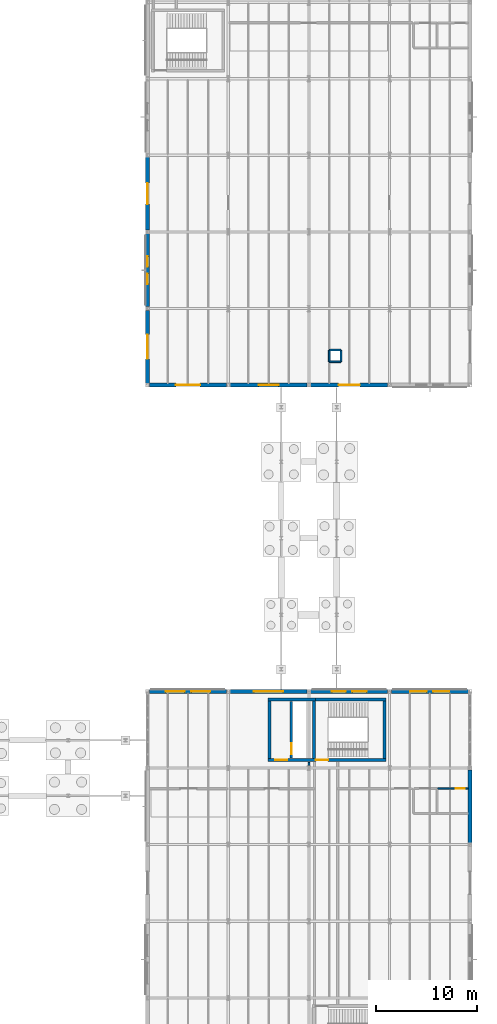
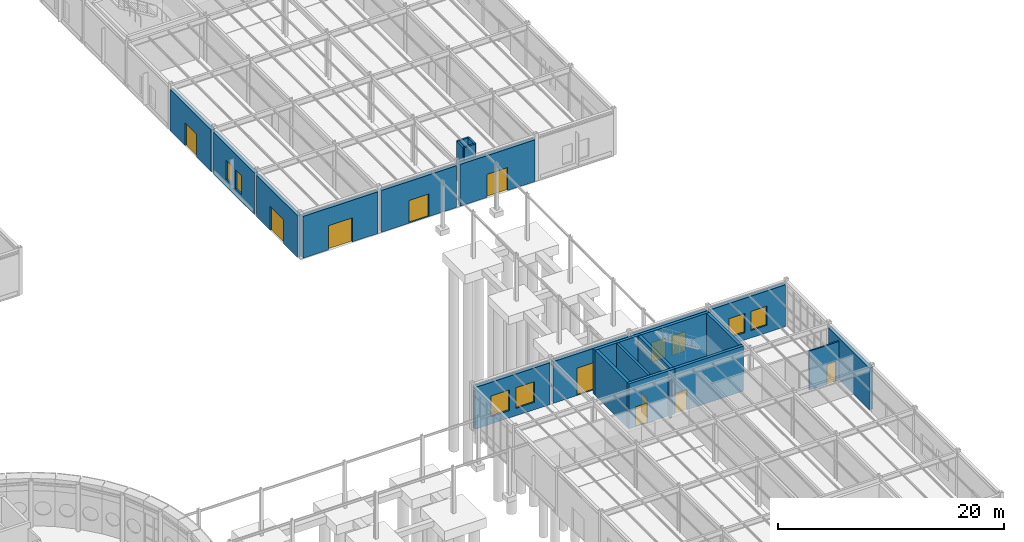
# One storey, part 92 of 109: 25 walls, 10 doors, 8 windows, 18 openings.
"""IFC4 building model written with IfcOpenShell, lengths in metres."""

from ifc_helpers import new_model, si_unit, direction, frame, frame_2d, origin, place, context, subcontext, project, spatial, rectangle, extrude, material, layer, layer_set, type_object, element, fill, save


model = new_model("IFC4")

# Units and contexts
model_context = context("Model", 3, precision=1e-05, world=origin(), true_north=direction((0.0, 1.0)))
body_context = subcontext(model_context, "Body", "Model", "MODEL_VIEW")
ifc_project = project(units=[si_unit("LENGTHUNIT", "METRE"), si_unit("AREAUNIT", "SQUARE_METRE"), si_unit("VOLUMEUNIT", "CUBIC_METRE"), si_unit("PLANEANGLEUNIT", "RADIAN"), si_unit("MASSUNIT", "GRAM", prefix="KILO")], contexts=[model_context])

# Site, building, storey
site_placement = place(None, origin())
site = spatial("IfcSite", under=ifc_project, at=site_placement, CompositionType="ELEMENT")
building_placement = place(site_placement, origin())
building = spatial("IfcBuilding", under=site, at=building_placement, Name="Montecoro Central Library", CompositionType="ELEMENT")
storey_placement = place(building_placement, origin())
storey = spatial("IfcBuildingStorey", under=building, at=storey_placement, Name="L00", CompositionType="ELEMENT", Elevation=0.0)

# Wall, opening, door
ifc_material_1 = material(Name="Dark piperno stone clad concrete C35/45", Category="masonry")
ifc_layer_1 = layer(ifc_material_1, 0.385009765625)
ifc_layer_set_1 = layer_set([ifc_layer_1], Name="Dark piperno stone clad concrete C35/45")
wall_type_1 = type_object("IfcWallType", Name="EW-PIP-385", PredefinedType="SOLIDWALL", material=ifc_layer_set_1)
wall_1_placement = place(storey_placement, frame((141.177978515625, 73.39990234375, 0.0), z_axis=(0.0, 0.0, 1.0), x_axis=(1.0, 0.0, 0.0)))
wall_1 = element("IfcWall", 1, at=wall_1_placement, inside=storey, type_object=wall_type_1, Name="V5-L00-EW-S0", PredefinedType="SOLIDWALL", context=body_context, shape_type="SweptSolid", body=[
    extrude(rectangle(XDim=7.64404296875, YDim=0.385009765625, at=frame_2d((3.822021484375, 0.0))), origin(), (0.0, 0.0, 1.0), 4.5),
])
opening_1_placement = place(wall_1_placement, frame((2.6220703125, 0.0, 0.0)))
opening_1 = element("IfcOpeningElement", 2, at=opening_1_placement, cuts=wall_1, Name="Opening ED-02", PredefinedType="OPENING", context=body_context, shape_type="SweptSolid", body=[
    extrude(rectangle(XDim=2.39990234375, YDim=2.60009765625, at=frame_2d((1.199951171875, 1.300048828125))), frame((0.0, 0.202392578125, 0.0), z_axis=(0.0, -1.0, 0.0), x_axis=(1.0, 0.0, 0.0)), (0.0, 0.0, 1.0), 0.405029296875),
])
ifc_material_2 = material(Name="Thermally broken architectural bronze and safety glass", Category="glass")
door_type_1 = type_object("IfcDoorType", Name="ED-EXIT-240", OperationType="NOTDEFINED", PredefinedType="DOOR", material=ifc_material_2)
door_1_placement = place(opening_1_placement, origin())
door_1 = element("IfcDoor", 3, at=door_1_placement, inside=storey, type_object=door_type_1, Name="V5-L00-ED-S0", OperationType="SINGLE_SWING_RIGHT", OverallHeight=2.60009765625, OverallWidth=2.39990234375, PredefinedType="DOOR", context=body_context, shape_type="SweptSolid", body=[
    extrude(rectangle(XDim=2.39990234375, YDim=2.60009765625, at=frame_2d((1.199951171875, 1.300048828125))), frame((0.0, 0.02490234375, 0.0), z_axis=(0.0, -1.0, 0.0), x_axis=(1.0, 0.0, 0.0)), (0.0, 0.0, 1.0), 0.050048828125),
])
fill(opening_1, door_1)

wall_2_placement = place(storey_placement, frame((149.177978515625, 73.39990234375, 0.0), z_axis=(0.0, 0.0, 1.0), x_axis=(1.0, 0.0, 0.0)))
wall_2 = element("IfcWall", 4, at=wall_2_placement, inside=storey, type_object=wall_type_1, Name="V5-L00-EW-S1", PredefinedType="SOLIDWALL", context=body_context, shape_type="SweptSolid", body=[
    extrude(rectangle(XDim=7.64404296875, YDim=0.385009765625, at=frame_2d((3.822021484375, 0.0))), origin(), (0.0, 0.0, 1.0), 4.5),
])
opening_2_placement = place(wall_2_placement, frame((2.822021484375, 0.0, 0.0)))
opening_2 = element("IfcOpeningElement", 5, at=opening_2_placement, cuts=wall_2, Name="Opening ED-03", PredefinedType="OPENING", context=body_context, shape_type="SweptSolid", body=[
    extrude(rectangle(XDim=2.0, YDim=2.449951171875, at=frame_2d((1.0, 1.22509765625))), frame((0.0, 0.202392578125, 0.0), z_axis=(0.0, -1.0, 0.0), x_axis=(1.0, 0.0, 0.0)), (0.0, 0.0, 1.0), 0.405029296875),
])
door_type_2 = type_object("IfcDoorType", Name="ED-EXIT-200", OperationType="NOTDEFINED", PredefinedType="DOOR", material=ifc_material_2)
door_2_placement = place(opening_2_placement, origin())
door_2 = element("IfcDoor", 6, at=door_2_placement, inside=storey, type_object=door_type_2, Name="V5-L00-ED-S1", OperationType="SINGLE_SWING_LEFT", OverallHeight=2.449951171875, OverallWidth=2.0, PredefinedType="DOOR", context=body_context, shape_type="SweptSolid", body=[
    extrude(rectangle(XDim=2.0, YDim=2.449951171875, at=frame_2d((1.0, 1.22509765625))), frame((0.0, 0.02490234375, 0.0), z_axis=(0.0, -1.0, 0.0), x_axis=(1.0, 0.0, 0.0)), (0.0, 0.0, 1.0), 0.050048828125),
])
fill(opening_2, door_2)

wall_3_placement = place(storey_placement, frame((157.177978515625, 73.39990234375, 0.0), z_axis=(0.0, 0.0, 1.0), x_axis=(1.0, 0.0, 0.0)))
wall_3 = element("IfcWall", 7, at=wall_3_placement, inside=storey, type_object=wall_type_1, Name="V5-L00-EW-S2", PredefinedType="SOLIDWALL", context=body_context, shape_type="SweptSolid", body=[
    extrude(rectangle(XDim=7.64404296875, YDim=0.385009765625, at=frame_2d((3.822021484375, 0.0))), origin(), (0.0, 0.0, 1.0), 4.5),
])
opening_3_placement = place(wall_3_placement, frame((2.77197265625, 0.0, 0.0)))
opening_3 = element("IfcOpeningElement", 8, at=opening_3_placement, cuts=wall_3, Name="Opening ED-04", PredefinedType="OPENING", context=body_context, shape_type="SweptSolid", body=[
    extrude(rectangle(XDim=2.10009765625, YDim=2.47998046875, at=frame_2d((1.050048828125, 1.239990234375))), frame((0.0, 0.202392578125, 0.0), z_axis=(0.0, -1.0, 0.0), x_axis=(1.0, 0.0, 0.0)), (0.0, 0.0, 1.0), 0.405029296875),
])
door_type_3 = type_object("IfcDoorType", Name="ED-EXIT-210", OperationType="NOTDEFINED", PredefinedType="DOOR", material=ifc_material_2)
door_3_placement = place(opening_3_placement, origin())
door_3 = element("IfcDoor", 9, at=door_3_placement, inside=storey, type_object=door_type_3, Name="V5-L00-ED-S2", OperationType="SINGLE_SWING_RIGHT", OverallHeight=2.47998046875, OverallWidth=2.10009765625, PredefinedType="DOOR", context=body_context, shape_type="SweptSolid", body=[
    extrude(rectangle(XDim=2.10009765625, YDim=2.47998046875, at=frame_2d((1.050048828125, 1.239990234375))), frame((0.0, 0.02490234375, 0.0), z_axis=(0.0, -1.0, 0.0), x_axis=(1.0, 0.0, 0.0)), (0.0, 0.0, 1.0), 0.050048828125),
])
fill(opening_3, door_3)

wall_4_placement = place(storey_placement, frame((141.0, 96.02197265625, 0.0), z_axis=(0.0, 0.0, 1.0), x_axis=(0.0, -1.0, 0.0)))
wall_4 = element("IfcWall", 10, at=wall_4_placement, inside=storey, type_object=wall_type_1, Name="V5-L00-EW-W2", PredefinedType="SOLIDWALL", context=body_context, shape_type="SweptSolid", body=[
    extrude(rectangle(XDim=7.243896484375, YDim=0.385009765625, at=frame_2d((3.6220703125, 0.0))), origin(), (0.0, 0.0, 1.0), 4.5),
])
opening_4_placement = place(wall_4_placement, frame((2.572021484375, 0.0, 0.0)))
opening_4 = element("IfcOpeningElement", 11, at=opening_4_placement, cuts=wall_4, Name="Opening ED-04", PredefinedType="OPENING", context=body_context, shape_type="SweptSolid", body=[
    extrude(rectangle(XDim=2.10009765625, YDim=2.47998046875, at=frame_2d((1.050048828125, 1.239990234375))), frame((0.0, 0.202392578125, 0.0), z_axis=(0.0, -1.0, 0.0), x_axis=(1.0, 0.0, 0.0)), (0.0, 0.0, 1.0), 0.405029296875),
])
door_4_placement = place(opening_4_placement, origin())
door_4 = element("IfcDoor", 12, at=door_4_placement, inside=storey, type_object=door_type_3, Name="V5-L00-ED-W2", OperationType="SINGLE_SWING_RIGHT", OverallHeight=2.47998046875, OverallWidth=2.10009765625, PredefinedType="DOOR", context=body_context, shape_type="SweptSolid", body=[
    extrude(rectangle(XDim=2.10009765625, YDim=2.47998046875, at=frame_2d((1.050048828125, 1.239990234375))), frame((0.0, 0.02490234375, 0.0), z_axis=(0.0, -1.0, 0.0), x_axis=(1.0, 0.0, 0.0)), (0.0, 0.0, 1.0), 0.050048828125),
])
fill(opening_4, door_4)

# Wall, openings, windows
wall_5_placement = place(storey_placement, frame((141.0, 88.422119140625, 0.0), z_axis=(0.0, 0.0, 1.0), x_axis=(0.0, -1.0, 0.0)))
wall_5 = element("IfcWall", 13, at=wall_5_placement, inside=storey, type_object=wall_type_1, Name="V5-L00-EW-W1", PredefinedType="SOLIDWALL", context=body_context, shape_type="SweptSolid", body=[
    extrude(rectangle(XDim=7.244140625, YDim=0.385009765625, at=frame_2d((3.6220703125, 0.0))), origin(), (0.0, 0.0, 1.0), 4.5),
])
opening_5_placement = place(wall_5_placement, frame((2.2470703125, 0.0, 0.800048828125)))
opening_5 = element("IfcOpeningElement", 14, at=opening_5_placement, cuts=wall_5, Name="Opening WN-03", PredefinedType="OPENING", context=body_context, shape_type="SweptSolid", body=[
    extrude(rectangle(XDim=1.050048828125, YDim=2.050048828125, at=frame_2d((0.52490234375, 1.02490234375))), frame((0.0, 0.202392578125, 0.0), z_axis=(0.0, -1.0, 0.0), x_axis=(1.0, 0.0, 0.0)), (0.0, 0.0, 1.0), 0.405029296875),
])
opening_6_placement = place(wall_5_placement, frame((3.947021484375, 0.0, 0.800048828125)))
opening_6 = element("IfcOpeningElement", 15, at=opening_6_placement, cuts=wall_5, Name="Opening WN-03", PredefinedType="OPENING", context=body_context, shape_type="SweptSolid", body=[
    extrude(rectangle(XDim=1.050048828125, YDim=2.050048828125, at=frame_2d((0.52490234375, 1.02490234375))), frame((0.0, 0.202392578125, 0.0), z_axis=(0.0, -1.0, 0.0), x_axis=(1.0, 0.0, 0.0)), (0.0, 0.0, 1.0), 0.405029296875),
])
ifc_material_3 = material(Name="UV-filtered triple glazing", Category="glass")
window_type_1 = type_object("IfcWindowType", Name="WN-STK-105", PartitioningType="SINGLE_PANEL", PredefinedType="WINDOW", material=ifc_material_3)
window_1_placement = place(opening_5_placement, origin())
window_1 = element("IfcWindow", 16, at=window_1_placement, inside=storey, type_object=window_type_1, Name="V5-L00-WN-W1-1", OverallHeight=2.050048828125, OverallWidth=1.050048828125, PartitioningType="SINGLE_PANEL", PredefinedType="WINDOW", context=body_context, shape_type="SweptSolid", body=[
    extrude(rectangle(XDim=1.050048828125, YDim=2.050048828125, at=frame_2d((0.52490234375, 1.02490234375))), frame((0.0, 0.030029296875, 0.0), z_axis=(0.0, -1.0, 0.0), x_axis=(1.0, 0.0, 0.0)), (0.0, 0.0, 1.0), 0.06005859375),
])
fill(opening_5, window_1)
window_2_placement = place(opening_6_placement, origin())
window_2 = element("IfcWindow", 17, at=window_2_placement, inside=storey, type_object=window_type_1, Name="V5-L00-WN-W1-2", OverallHeight=2.050048828125, OverallWidth=1.050048828125, PartitioningType="SINGLE_PANEL", PredefinedType="WINDOW", context=body_context, shape_type="SweptSolid", body=[
    extrude(rectangle(XDim=1.050048828125, YDim=2.050048828125, at=frame_2d((0.52490234375, 1.02490234375))), frame((0.0, 0.030029296875, 0.0), z_axis=(0.0, -1.0, 0.0), x_axis=(1.0, 0.0, 0.0)), (0.0, 0.0, 1.0), 0.06005859375),
])
fill(opening_6, window_2)

# Wall, opening, door
wall_6_placement = place(storey_placement, frame((141.0, 80.822021484375, 0.0), z_axis=(0.0, 0.0, 1.0), x_axis=(0.0, -1.0, 0.0)))
wall_6 = element("IfcWall", 18, at=wall_6_placement, inside=storey, type_object=wall_type_1, Name="V5-L00-EW-W0", PredefinedType="SOLIDWALL", context=body_context, shape_type="SweptSolid", body=[
    extrude(rectangle(XDim=7.244140625, YDim=0.385009765625, at=frame_2d((3.6220703125, 0.0))), origin(), (0.0, 0.0, 1.0), 4.5),
])
opening_7_placement = place(wall_6_placement, frame((2.422119140625, 0.0, 0.0)))
opening_7 = element("IfcOpeningElement", 19, at=opening_7_placement, cuts=wall_6, Name="Opening ED-02", PredefinedType="OPENING", context=body_context, shape_type="SweptSolid", body=[
    extrude(rectangle(XDim=2.39990234375, YDim=2.60009765625, at=frame_2d((1.199951171875, 1.300048828125))), frame((0.0, 0.202392578125, 0.0), z_axis=(0.0, -1.0, 0.0), x_axis=(1.0, 0.0, 0.0)), (0.0, 0.0, 1.0), 0.405029296875),
])
door_5_placement = place(opening_7_placement, origin())
door_5 = element("IfcDoor", 20, at=door_5_placement, inside=storey, type_object=door_type_1, Name="V5-L00-ED-W0", OperationType="SINGLE_SWING_LEFT", OverallHeight=2.60009765625, OverallWidth=2.39990234375, PredefinedType="DOOR", context=body_context, shape_type="SweptSolid", body=[
    extrude(rectangle(XDim=2.39990234375, YDim=2.60009765625, at=frame_2d((1.199951171875, 1.300048828125))), frame((0.0, 0.02490234375, 0.0), z_axis=(0.0, -1.0, 0.0), x_axis=(1.0, 0.0, 0.0)), (0.0, 0.0, 1.0), 0.050048828125),
])
fill(opening_7, door_5)

# Wall
wall_7_placement = place(storey_placement, frame((173.0, 27.97802734375, 0.0), z_axis=(0.0, 0.0, 1.0), x_axis=(0.0, 1.0, 0.0)))
element("IfcWall", 21, at=wall_7_placement, inside=storey, type_object=wall_type_1, Name="V6-L00-EW-E3", PredefinedType="SOLIDWALL", context=body_context, shape_type="SweptSolid", body=[
    extrude(rectangle(XDim=7.243896484375, YDim=0.385009765625, at=frame_2d((3.6220703125, 0.0))), origin(), (0.0, 0.0, 1.0), 4.5),
])

# Wall, openings, windows
wall_8_placement = place(storey_placement, frame((172.822021484375, 43.0, 0.0), z_axis=(0.0, 0.0, 1.0), x_axis=(-1.0, 0.0, 0.0)))
wall_8 = element("IfcWall", 22, at=wall_8_placement, inside=storey, type_object=wall_type_1, Name="V6-L00-EW-N3", PredefinedType="SOLIDWALL", context=body_context, shape_type="SweptSolid", body=[
    extrude(rectangle(XDim=7.64404296875, YDim=0.385009765625, at=frame_2d((3.822021484375, 0.0))), origin(), (0.0, 0.0, 1.0), 4.5),
])
opening_8_placement = place(wall_8_placement, frame((1.876953125, 0.0, 0.800048828125)))
opening_8 = element("IfcOpeningElement", 23, at=opening_8_placement, cuts=wall_8, Name="Opening WN-27", PredefinedType="OPENING", context=body_context, shape_type="SweptSolid", body=[
    extrude(rectangle(XDim=1.6201171875, YDim=2.06005859375, at=frame_2d((0.81005859375, 1.030029296875))), frame((0.0, 0.202392578125, 0.0), z_axis=(0.0, -1.0, 0.0), x_axis=(1.0, 0.0, 0.0)), (0.0, 0.0, 1.0), 0.405029296875),
])
opening_9_placement = place(wall_8_placement, frame((4.14697265625, 0.0, 0.800048828125)))
opening_9 = element("IfcOpeningElement", 24, at=opening_9_placement, cuts=wall_8, Name="Opening WN-27", PredefinedType="OPENING", context=body_context, shape_type="SweptSolid", body=[
    extrude(rectangle(XDim=1.6201171875, YDim=2.06005859375, at=frame_2d((0.81005859375, 1.030029296875))), frame((0.0, 0.202392578125, 0.0), z_axis=(0.0, -1.0, 0.0), x_axis=(1.0, 0.0, 0.0)), (0.0, 0.0, 1.0), 0.405029296875),
])
ifc_material_4 = material(Name="Laminated low-E double glazing", Category="glass")
window_type_2 = type_object("IfcWindowType", Name="WN-COM-162", PartitioningType="SINGLE_PANEL", PredefinedType="WINDOW", material=ifc_material_4)
window_3_placement = place(opening_8_placement, origin())
window_3 = element("IfcWindow", 25, at=window_3_placement, inside=storey, type_object=window_type_2, Name="V6-L00-WN-N3-1", OverallHeight=2.06005859375, OverallWidth=1.6201171875, PartitioningType="SINGLE_PANEL", PredefinedType="WINDOW", context=body_context, shape_type="SweptSolid", body=[
    extrude(rectangle(XDim=1.6201171875, YDim=2.06005859375, at=frame_2d((0.81005859375, 1.030029296875))), frame((0.0, 0.030029296875, 0.0), z_axis=(0.0, -1.0, 0.0), x_axis=(1.0, 0.0, 0.0)), (0.0, 0.0, 1.0), 0.06005859375),
])
fill(opening_8, window_3)
window_4_placement = place(opening_9_placement, origin())
window_4 = element("IfcWindow", 26, at=window_4_placement, inside=storey, type_object=window_type_2, Name="V6-L00-WN-N3-2", OverallHeight=2.06005859375, OverallWidth=1.6201171875, PartitioningType="SINGLE_PANEL", PredefinedType="WINDOW", context=body_context, shape_type="SweptSolid", body=[
    extrude(rectangle(XDim=1.6201171875, YDim=2.06005859375, at=frame_2d((0.81005859375, 1.030029296875))), frame((0.0, 0.030029296875, 0.0), z_axis=(0.0, -1.0, 0.0), x_axis=(1.0, 0.0, 0.0)), (0.0, 0.0, 1.0), 0.06005859375),
])
fill(opening_9, window_4)

wall_9_placement = place(storey_placement, frame((164.822021484375, 43.0, 0.0), z_axis=(0.0, 0.0, 1.0), x_axis=(-1.0, 0.0, 0.0)))
wall_9 = element("IfcWall", 27, at=wall_9_placement, inside=storey, type_object=wall_type_1, Name="V6-L00-EW-N2", PredefinedType="SOLIDWALL", context=body_context, shape_type="SweptSolid", body=[
    extrude(rectangle(XDim=7.64404296875, YDim=0.385009765625, at=frame_2d((3.822021484375, 0.0))), origin(), (0.0, 0.0, 1.0), 4.5),
])
opening_10_placement = place(wall_9_placement, frame((2.096923828125, 0.0, 0.800048828125)))
opening_10 = element("IfcOpeningElement", 28, at=opening_10_placement, cuts=wall_9, Name="Opening WN-22", PredefinedType="OPENING", context=body_context, shape_type="SweptSolid", body=[
    extrude(rectangle(XDim=1.39990234375, YDim=2.1201171875, at=frame_2d((0.699951171875, 1.06005859375))), frame((0.0, 0.202392578125, 0.0), z_axis=(0.0, -1.0, 0.0), x_axis=(1.0, 0.0, 0.0)), (0.0, 0.0, 1.0), 0.405029296875),
])
opening_11_placement = place(wall_9_placement, frame((4.14697265625, 0.0, 0.800048828125)))
opening_11 = element("IfcOpeningElement", 29, at=opening_11_placement, cuts=wall_9, Name="Opening WN-22", PredefinedType="OPENING", context=body_context, shape_type="SweptSolid", body=[
    extrude(rectangle(XDim=1.39990234375, YDim=2.1201171875, at=frame_2d((0.699951171875, 1.06005859375))), frame((0.0, 0.202392578125, 0.0), z_axis=(0.0, -1.0, 0.0), x_axis=(1.0, 0.0, 0.0)), (0.0, 0.0, 1.0), 0.405029296875),
])
window_type_3 = type_object("IfcWindowType", Name="WN-LOG-140", PartitioningType="SINGLE_PANEL", PredefinedType="WINDOW", material=ifc_material_4)
window_5_placement = place(opening_10_placement, origin())
window_5 = element("IfcWindow", 30, at=window_5_placement, inside=storey, type_object=window_type_3, Name="V6-L00-WN-N2-1", OverallHeight=2.1201171875, OverallWidth=1.39990234375, PartitioningType="SINGLE_PANEL", PredefinedType="WINDOW", context=body_context, shape_type="SweptSolid", body=[
    extrude(rectangle(XDim=1.39990234375, YDim=2.1201171875, at=frame_2d((0.699951171875, 1.06005859375))), frame((0.0, 0.030029296875, 0.0), z_axis=(0.0, -1.0, 0.0), x_axis=(1.0, 0.0, 0.0)), (0.0, 0.0, 1.0), 0.06005859375),
])
fill(opening_10, window_5)
window_6_placement = place(opening_11_placement, origin())
window_6 = element("IfcWindow", 31, at=window_6_placement, inside=storey, type_object=window_type_3, Name="V6-L00-WN-N2-2", OverallHeight=2.1201171875, OverallWidth=1.39990234375, PartitioningType="SINGLE_PANEL", PredefinedType="WINDOW", context=body_context, shape_type="SweptSolid", body=[
    extrude(rectangle(XDim=1.39990234375, YDim=2.1201171875, at=frame_2d((0.699951171875, 1.06005859375))), frame((0.0, 0.030029296875, 0.0), z_axis=(0.0, -1.0, 0.0), x_axis=(1.0, 0.0, 0.0)), (0.0, 0.0, 1.0), 0.06005859375),
])
fill(opening_11, window_6)

# Wall, opening, door
wall_10_placement = place(storey_placement, frame((156.822021484375, 43.0, 0.0), z_axis=(0.0, 0.0, 1.0), x_axis=(-1.0, 0.0, 0.0)))
wall_10 = element("IfcWall", 32, at=wall_10_placement, inside=storey, type_object=wall_type_1, Name="V6-L00-EW-N1", PredefinedType="SOLIDWALL", context=body_context, shape_type="SweptSolid", body=[
    extrude(rectangle(XDim=7.64404296875, YDim=0.385009765625, at=frame_2d((3.822021484375, 0.0))), origin(), (0.0, 0.0, 1.0), 4.5),
])
opening_12_placement = place(wall_10_placement, frame((2.3720703125, 0.0, 0.0)))
opening_12 = element("IfcOpeningElement", 33, at=opening_12_placement, cuts=wall_10, Name="Opening EG-02", PredefinedType="OPENING", context=body_context, shape_type="SweptSolid", body=[
    extrude(rectangle(XDim=2.89990234375, YDim=2.949951171875, at=frame_2d((1.449951171875, 1.47509765625))), frame((0.0, 0.202392578125, 0.0), z_axis=(0.0, -1.0, 0.0), x_axis=(1.0, 0.0, 0.0)), (0.0, 0.0, 1.0), 0.405029296875),
])
door_type_4 = type_object("IfcDoorType", Name="ED-GATE-290", OperationType="NOTDEFINED", PredefinedType="GATE", material=ifc_material_2)
door_6_placement = place(opening_12_placement, origin())
door_6 = element("IfcDoor", 34, at=door_6_placement, inside=storey, type_object=door_type_4, Name="V6-L00-GT-N1", OperationType="DOUBLE_DOOR_SINGLE_SWING", OverallHeight=2.949951171875, OverallWidth=2.89990234375, PredefinedType="GATE", context=body_context, shape_type="SweptSolid", body=[
    extrude(rectangle(XDim=2.89990234375, YDim=2.949951171875, at=frame_2d((1.449951171875, 1.47509765625))), frame((0.0, 0.02490234375, 0.0), z_axis=(0.0, -1.0, 0.0), x_axis=(1.0, 0.0, 0.0)), (0.0, 0.0, 1.0), 0.050048828125),
])
fill(opening_12, door_6)

# Wall, openings, windows
wall_11_placement = place(storey_placement, frame((148.822021484375, 43.0, 0.0), z_axis=(0.0, 0.0, 1.0), x_axis=(-1.0, 0.0, 0.0)))
wall_11 = element("IfcWall", 35, at=wall_11_placement, inside=storey, type_object=wall_type_1, Name="V6-L00-EW-N0", PredefinedType="SOLIDWALL", context=body_context, shape_type="SweptSolid", body=[
    extrude(rectangle(XDim=7.64404296875, YDim=0.385009765625, at=frame_2d((3.822021484375, 0.0))), origin(), (0.0, 0.0, 1.0), 4.5),
])
opening_13_placement = place(wall_11_placement, frame((1.596923828125, 0.0, 0.800048828125)))
opening_13 = element("IfcOpeningElement", 36, at=opening_13_placement, cuts=wall_11, Name="Opening WN-18", PredefinedType="OPENING", context=body_context, shape_type="SweptSolid", body=[
    extrude(rectangle(XDim=1.89990234375, YDim=2.219970703125, at=frame_2d((0.949951171875, 1.10986328125))), frame((0.0, 0.202392578125, 0.0), z_axis=(0.0, -1.0, 0.0), x_axis=(1.0, 0.0, 0.0)), (0.0, 0.0, 1.0), 0.405029296875),
])
opening_14_placement = place(wall_11_placement, frame((4.14697265625, 0.0, 0.800048828125)))
opening_14 = element("IfcOpeningElement", 37, at=opening_14_placement, cuts=wall_11, Name="Opening WN-18", PredefinedType="OPENING", context=body_context, shape_type="SweptSolid", body=[
    extrude(rectangle(XDim=1.89990234375, YDim=2.219970703125, at=frame_2d((0.949951171875, 1.10986328125))), frame((0.0, 0.202392578125, 0.0), z_axis=(0.0, -1.0, 0.0), x_axis=(1.0, 0.0, 0.0)), (0.0, 0.0, 1.0), 0.405029296875),
])
window_type_4 = type_object("IfcWindowType", Name="WN-COM-190", PartitioningType="SINGLE_PANEL", PredefinedType="WINDOW", material=ifc_material_4)
window_7_placement = place(opening_13_placement, origin())
window_7 = element("IfcWindow", 38, at=window_7_placement, inside=storey, type_object=window_type_4, Name="V6-L00-WN-N0-1", OverallHeight=2.219970703125, OverallWidth=1.89990234375, PartitioningType="SINGLE_PANEL", PredefinedType="WINDOW", context=body_context, shape_type="SweptSolid", body=[
    extrude(rectangle(XDim=1.89990234375, YDim=2.219970703125, at=frame_2d((0.949951171875, 1.10986328125))), frame((0.0, 0.030029296875, 0.0), z_axis=(0.0, -1.0, 0.0), x_axis=(1.0, 0.0, 0.0)), (0.0, 0.0, 1.0), 0.06005859375),
])
fill(opening_13, window_7)
window_8_placement = place(opening_14_placement, origin())
window_8 = element("IfcWindow", 39, at=window_8_placement, inside=storey, type_object=window_type_4, Name="V6-L00-WN-N0-2", OverallHeight=2.219970703125, OverallWidth=1.89990234375, PartitioningType="SINGLE_PANEL", PredefinedType="WINDOW", context=body_context, shape_type="SweptSolid", body=[
    extrude(rectangle(XDim=1.89990234375, YDim=2.219970703125, at=frame_2d((0.949951171875, 1.10986328125))), frame((0.0, 0.030029296875, 0.0), z_axis=(0.0, -1.0, 0.0), x_axis=(1.0, 0.0, 0.0)), (0.0, 0.0, 1.0), 0.06005859375),
])
fill(opening_14, window_8)

# Walls
ifc_material_5 = material(Name="Gypsum fire-rated partition")
ifc_layer_2 = layer(ifc_material_5, 0.179931640625)
ifc_layer_set_2 = layer_set([ifc_layer_2], Name="Gypsum fire-rated partition")
wall_type_2 = type_object("IfcWallType", Name="IW-COR-180", PredefinedType="PARTITIONING", material=ifc_layer_set_2)
for number, where, z_axis, x_axis, name in (
    (40, (159.02001953125, 75.719970703125, 0.0), (0.0, 0.0, 1.0), (1.0, 0.0, 0.0), "RSR-V5-L00-SL3-S"),
    (41, (160.179931640625, 76.8798828125, 0.0), (0.0, 0.0, 1.0), (-1.0, 0.0, 0.0), "RSR-V5-L00-SL3-N"),
    (42, (159.02001953125, 76.8798828125, 0.0), (0.0, 0.0, 1.0), (0.0, -1.0, 0.0), "RSR-V5-L00-SL3-W"),
    (43, (160.179931640625, 75.719970703125, 0.0), (0.0, 0.0, 1.0), (0.0, 1.0, 0.0), "RSR-V5-L00-SL3-E"),
):
    element("IfcWall", number, at=place(storey_placement, frame(where, z_axis=z_axis, x_axis=x_axis)), inside=storey, type_object=wall_type_2, Name=name, PredefinedType="PARTITIONING", context=body_context, shape_type="SweptSolid", body=[
        extrude(rectangle(XDim=1.159912109375, YDim=0.179931640625, at=frame_2d((0.580078125, 0.0))), origin(), (0.0, 0.0, 1.0), 4.199951171875),
    ])
wall_12_placement = place(storey_placement, frame((157.0, 35.639892578125, 0.0), z_axis=(0.0, 0.0, 1.0), x_axis=(0.0, 1.0, 0.0)))
element("IfcWall", 44, at=wall_12_placement, inside=storey, type_object=wall_type_2, Name="PIL-V6-L00-1", PredefinedType="PARTITIONING", context=body_context, shape_type="SweptSolid", body=[
    extrude(rectangle(XDim=0.320068359375, YDim=0.179931640625, at=frame_2d((0.16015625, 0.0))), origin(), (0.0, 0.0, 1.0), 4.199951171875),
])

# Wall, opening, door
ifc_material_6 = material(Name="Concrete C32/40", Category="concrete")
ifc_layer_3 = layer(ifc_material_6, 0.219970703125)
ifc_layer_set_3 = layer_set([ifc_layer_3], Name="Concrete C32/40")
wall_type_3 = type_object("IfcWallType", Name="IW-FFL-220", PredefinedType="SOLIDWALL", material=ifc_layer_set_3)
wall_13_placement = place(storey_placement, frame((155.25, 36.39990234375, 0.0), z_axis=(0.0, 0.0, 1.0), x_axis=(0.0, 1.0, 0.0)))
wall_13 = element("IfcWall", 45, at=wall_13_placement, inside=storey, type_object=wall_type_3, Name="C7-L00-WLSH", PredefinedType="SOLIDWALL", context=body_context, shape_type="SweptSolid", body=[
    extrude(rectangle(XDim=5.60009765625, YDim=0.219970703125, at=frame_2d((2.800048828125, 0.0))), origin(), (0.0, 0.0, 1.0), 4.864990234375),
])
opening_15_placement = place(wall_13_placement, frame((0.35009765625, 0.0, 0.0)))
opening_15 = element("IfcOpeningElement", 46, at=opening_15_placement, cuts=wall_13, Name="Opening LD-01", PredefinedType="OPENING", context=body_context, shape_type="SweptSolid", body=[
    extrude(rectangle(XDim=1.10009765625, YDim=2.14990234375, at=frame_2d((0.550048828125, 1.074951171875))), frame((0.0, 0.119873046875, 0.0), z_axis=(0.0, -1.0, 0.0), x_axis=(1.0, 0.0, 0.0)), (0.0, 0.0, 1.0), 0.239990234375),
])
ifc_material_7 = material(Name="Solid oak and fire-rated steel door", Category="steel")
door_type_5 = type_object("IfcDoorType", Name="LD-LIFT-110", OperationType="NOTDEFINED", PredefinedType="DOOR", material=ifc_material_7)
door_7_placement = place(opening_15_placement, origin())
door_7 = element("IfcDoor", 47, at=door_7_placement, inside=storey, type_object=door_type_5, Name="C7-L00-LD-PL-06", OperationType="SLIDING_TO_LEFT", OverallHeight=2.14990234375, OverallWidth=1.10009765625, PredefinedType="DOOR", context=body_context, shape_type="SweptSolid", body=[
    extrude(rectangle(XDim=1.10009765625, YDim=2.14990234375, at=frame_2d((0.550048828125, 1.074951171875))), frame((0.0, 0.02490234375, 0.0), z_axis=(0.0, -1.0, 0.0), x_axis=(1.0, 0.0, 0.0)), (0.0, 0.0, 1.0), 0.050048828125),
])
fill(opening_15, door_7)

ifc_material_8 = material(Name="Concrete C35/45", Category="concrete")
ifc_layer_4 = layer(ifc_material_8, 0.300048828125)
ifc_layer_set_4 = layer_set([ifc_layer_4], Name="Concrete C35/45")
wall_type_4 = type_object("IfcWallType", Name="IW-SHR-300", PredefinedType="SHEAR", material=ifc_layer_set_4)
wall_14_placement = place(storey_placement, frame((152.949951171875, 36.199951171875, 0.0), z_axis=(0.0, 0.0, 1.0), x_axis=(1.0, 0.0, 0.0)))
wall_14 = element("IfcWall", 48, at=wall_14_placement, inside=storey, type_object=wall_type_4, Name="C7-L00-LWS", PredefinedType="SHEAR", context=body_context, shape_type="SweptSolid", body=[
    extrude(rectangle(XDim=4.699951171875, YDim=0.300048828125, at=frame_2d((2.35009765625, 0.0))), origin(), (0.0, 0.0, 1.0), 4.864990234375),
])
opening_16_placement = place(wall_14_placement, frame((0.699951171875, 0.0, 0.0)))
opening_16 = element("IfcOpeningElement", 49, at=opening_16_placement, cuts=wall_14, Name="Opening ID-03", PredefinedType="OPENING", context=body_context, shape_type="SweptSolid", body=[
    extrude(rectangle(XDim=1.199951171875, YDim=2.159912109375, at=frame_2d((0.60009765625, 1.080078125))), frame((0.0, 0.159912109375, 0.0), z_axis=(0.0, -1.0, 0.0), x_axis=(1.0, 0.0, 0.0)), (0.0, 0.0, 1.0), 0.320068359375),
])
door_type_6 = type_object("IfcDoorType", Name="ID-FFL-120", OperationType="NOTDEFINED", PredefinedType="DOOR", material=ifc_material_7)
door_8_placement = place(opening_16_placement, origin())
door_8 = element("IfcDoor", 50, at=door_8_placement, inside=storey, type_object=door_type_6, Name="C7-L00-DLOB", OperationType="SINGLE_SWING_LEFT", OverallHeight=2.159912109375, OverallWidth=1.199951171875, PredefinedType="DOOR", context=body_context, shape_type="SweptSolid", body=[
    extrude(rectangle(XDim=1.199951171875, YDim=2.159912109375, at=frame_2d((0.60009765625, 1.080078125))), frame((0.0, 0.02490234375, 0.0), z_axis=(0.0, -1.0, 0.0), x_axis=(1.0, 0.0, 0.0)), (0.0, 0.0, 1.0), 0.050048828125),
])
fill(opening_16, door_8)

# Walls
wall_15_placement = place(storey_placement, frame((157.64990234375, 42.199951171875, 0.0), z_axis=(0.0, 0.0, 1.0), x_axis=(-1.0, 0.0, 0.0)))
element("IfcWall", 51, at=wall_15_placement, inside=storey, type_object=wall_type_4, Name="C7-L00-LWN", PredefinedType="SHEAR", context=body_context, shape_type="SweptSolid", body=[
    extrude(rectangle(XDim=4.699951171875, YDim=0.300048828125, at=frame_2d((2.35009765625, 0.0))), origin(), (0.0, 0.0, 1.0), 4.864990234375),
])
wall_16_placement = place(storey_placement, frame((153.10009765625, 42.050048828125, 0.0), z_axis=(0.0, 0.0, 1.0), x_axis=(0.0, -1.0, 0.0)))
element("IfcWall", 52, at=wall_16_placement, inside=storey, type_object=wall_type_4, Name="C7-L00-LWW", PredefinedType="SHEAR", context=body_context, shape_type="SweptSolid", body=[
    extrude(rectangle(XDim=5.699951171875, YDim=0.300048828125, at=frame_2d((2.85009765625, 0.0))), origin(), (0.0, 0.0, 1.0), 4.864990234375),
])

# Wall, opening, door
wall_17_placement = place(storey_placement, frame((157.35009765625, 36.199951171875, 0.0), z_axis=(0.0, 0.0, 1.0), x_axis=(1.0, 0.0, 0.0)))
wall_17 = element("IfcWall", 53, at=wall_17_placement, inside=storey, type_object=wall_type_4, Name="C7-L00-WS", PredefinedType="SHEAR", context=body_context, shape_type="SweptSolid", body=[
    extrude(rectangle(XDim=7.2998046875, YDim=0.300048828125, at=frame_2d((3.64990234375, 0.0))), origin(), (0.0, 0.0, 1.0), 4.864990234375),
])
opening_17_placement = place(wall_17_placement, frame((0.330078125, 0.0, 0.0)))
opening_17 = element("IfcOpeningElement", 54, at=opening_17_placement, cuts=wall_17, Name="Opening ID-01", PredefinedType="OPENING", context=body_context, shape_type="SweptSolid", body=[
    extrude(rectangle(XDim=1.219970703125, YDim=2.179931640625, at=frame_2d((0.60986328125, 1.08984375))), frame((0.0, 0.159912109375, 0.0), z_axis=(0.0, -1.0, 0.0), x_axis=(1.0, 0.0, 0.0)), (0.0, 0.0, 1.0), 0.320068359375),
])
door_type_7 = type_object("IfcDoorType", Name="ID-STR-140", OperationType="NOTDEFINED", PredefinedType="DOOR", material=ifc_material_7)
door_9_placement = place(opening_17_placement, origin())
door_9 = element("IfcDoor", 55, at=door_9_placement, inside=storey, type_object=door_type_7, Name="C7-L00-DSTR", OperationType="SINGLE_SWING_RIGHT", OverallHeight=2.179931640625, OverallWidth=1.219970703125, PredefinedType="DOOR", context=body_context, shape_type="SweptSolid", body=[
    extrude(rectangle(XDim=1.219970703125, YDim=2.179931640625, at=frame_2d((0.60986328125, 1.08984375))), frame((0.0, 0.02490234375, 0.0), z_axis=(0.0, -1.0, 0.0), x_axis=(1.0, 0.0, 0.0)), (0.0, 0.0, 1.0), 0.050048828125),
])
fill(opening_17, door_9)

# Walls
wall_18_placement = place(storey_placement, frame((157.35009765625, 42.199951171875, 0.0), z_axis=(0.0, 0.0, 1.0), x_axis=(1.0, 0.0, 0.0)))
element("IfcWall", 56, at=wall_18_placement, inside=storey, type_object=wall_type_4, Name="C7-L00-WN", PredefinedType="SHEAR", context=body_context, shape_type="SweptSolid", body=[
    extrude(rectangle(XDim=7.2998046875, YDim=0.300048828125, at=frame_2d((3.64990234375, 0.0))), origin(), (0.0, 0.0, 1.0), 4.864990234375),
])
for number, where, z_axis, x_axis, name in (
    (57, (157.5, 36.35009765625, 0.0), (0.0, 0.0, 1.0), (0.0, 1.0, 0.0), "C7-L00-WW"),
    (58, (164.5, 36.35009765625, 0.0), (0.0, 0.0, 1.0), (0.0, 1.0, 0.0), "C7-L00-WE"),
):
    element("IfcWall", number, at=place(storey_placement, frame(where, z_axis=z_axis, x_axis=x_axis)), inside=storey, type_object=wall_type_4, Name=name, PredefinedType="SHEAR", context=body_context, shape_type="SweptSolid", body=[
        extrude(rectangle(XDim=5.699951171875, YDim=0.300048828125, at=frame_2d((2.85009765625, 0.0))), origin(), (0.0, 0.0, 1.0), 4.864990234375),
    ])

# Wall, opening, door
ifc_material_9 = material(Name="Moisture-resistant ceramic-tiled partition")
ifc_layer_5 = layer(ifc_material_9, 0.14990234375)
ifc_layer_set_5 = layer_set([ifc_layer_5], Name="Moisture-resistant ceramic-tiled partition")
wall_type_5 = type_object("IfcWallType", Name="IW-WET-150", PredefinedType="PARTITIONING", material=ifc_layer_set_5)
wall_19_placement = place(storey_placement, frame((169.77001953125, 33.35009765625, 0.0), z_axis=(0.0, 0.0, 1.0), x_axis=(1.0, 0.0, 0.0)))
wall_19 = element("IfcWall", 59, at=wall_19_placement, inside=storey, type_object=wall_type_5, Name="WC-V6-L00-WFP", PredefinedType="PARTITIONING", context=body_context, shape_type="SweptSolid", body=[
    extrude(rectangle(XDim=3.030029296875, YDim=0.14990234375, at=frame_2d((1.51513671875, 0.0))), origin(), (0.0, 0.0, 1.0), 4.199951171875),
])
opening_18_placement = place(wall_19_placement, frame((1.780029296875, 0.0, 0.0)))
opening_18 = element("IfcOpeningElement", 60, at=opening_18_placement, cuts=wall_19, Name="Opening ID-16", PredefinedType="OPENING", context=body_context, shape_type="SweptSolid", body=[
    extrude(rectangle(XDim=0.89990234375, YDim=2.14990234375, at=frame_2d((0.449951171875, 1.074951171875))), frame((0.0, 0.0849609375, 0.0), z_axis=(0.0, -1.0, 0.0), x_axis=(1.0, 0.0, 0.0)), (0.0, 0.0, 1.0), 0.169921875),
])
door_type_8 = type_object("IfcDoorType", Name="ID-WC-090", OperationType="NOTDEFINED", PredefinedType="DOOR", material=ifc_material_7)
door_10_placement = place(opening_18_placement, origin())
door_10 = element("IfcDoor", 61, at=door_10_placement, inside=storey, type_object=door_type_8, Name="DR-SP-V6-L00-PWC", OperationType="SINGLE_SWING_LEFT", OverallHeight=2.14990234375, OverallWidth=0.89990234375, PredefinedType="DOOR", context=body_context, shape_type="SweptSolid", body=[
    extrude(rectangle(XDim=0.89990234375, YDim=2.14990234375, at=frame_2d((0.449951171875, 1.074951171875))), frame((0.0, 0.02490234375, 0.0), z_axis=(0.0, -1.0, 0.0), x_axis=(1.0, 0.0, 0.0)), (0.0, 0.0, 1.0), 0.050048828125),
])
fill(opening_18, door_10)

save(model, "model.ifc")
